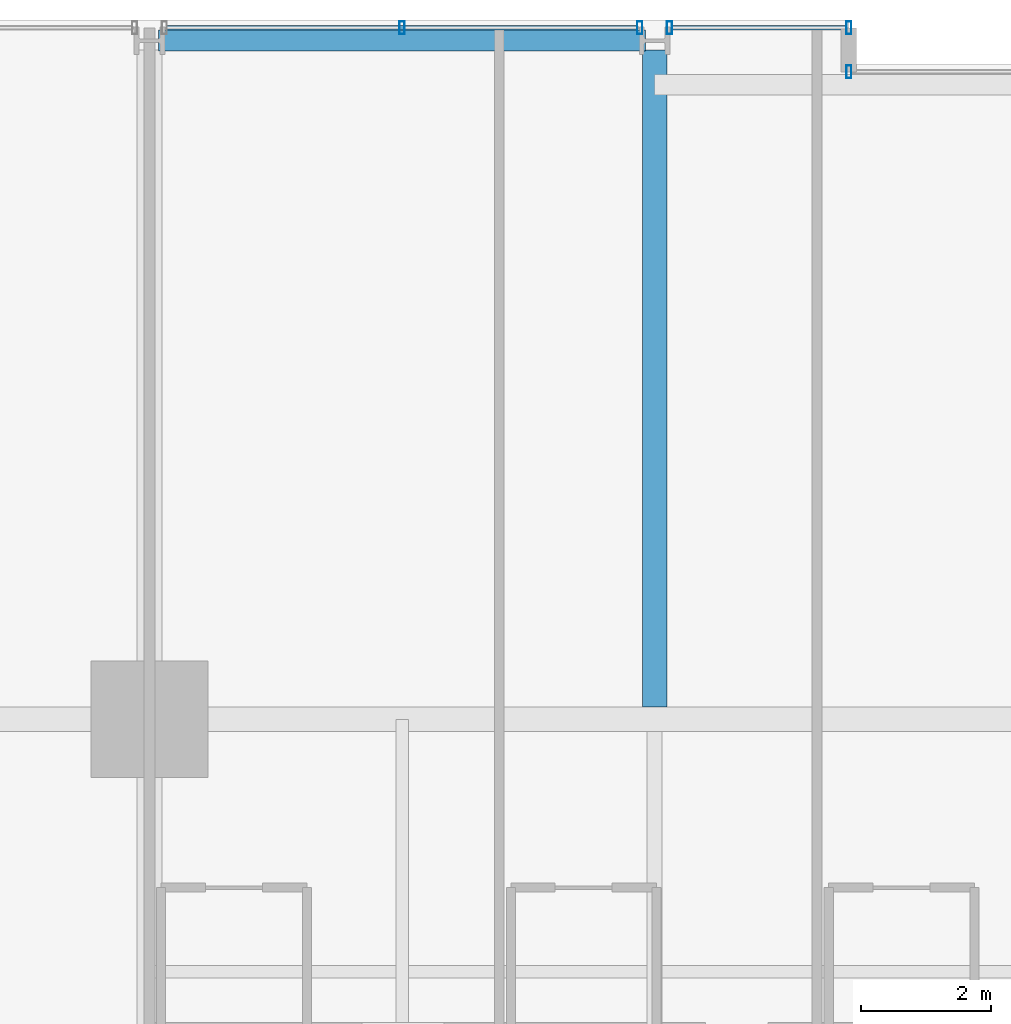
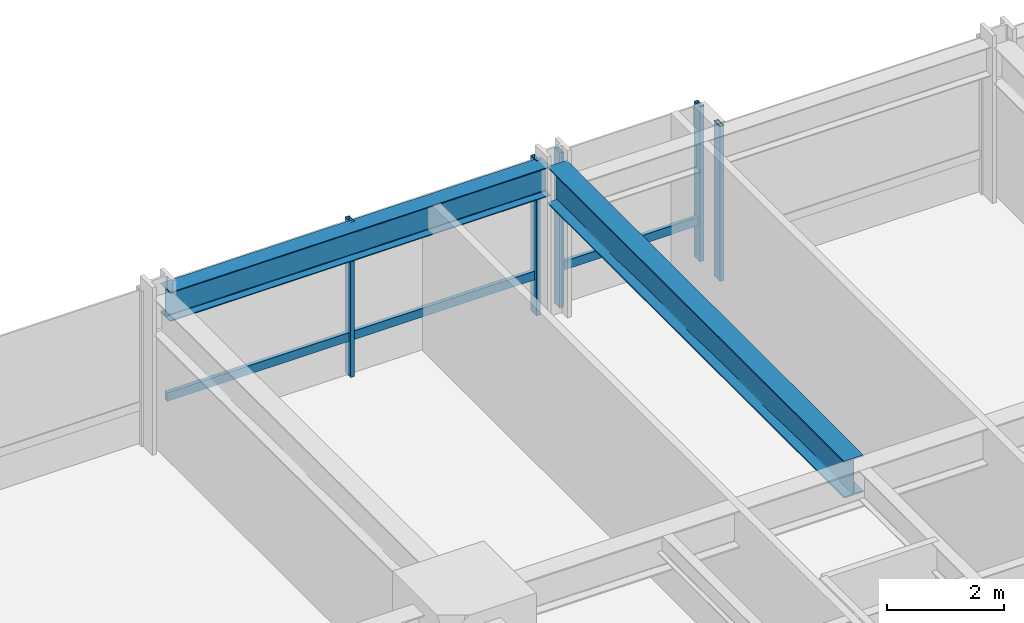
# One storey, part 22 of 38: 7 members, 2 beams, 3 elements without a shape of their own.
"""IFC4 building model written with IfcOpenShell, lengths in metres."""

from ifc_helpers import new_model, si_unit, direction, frame, origin, origin_2d, place, context, subcontext, project, spatial, hollow_rectangle, i_section, extrude, material, layer, layer_set, material_profile, profile_set, type_object, element, aggregate, save


model = new_model("IFC4")

# Units and contexts
model_context = context("Model", 3, precision=1e-05, world=origin(), true_north=direction((0.0, 1.0)))
body_context = subcontext(model_context, "Body", "Model", "MODEL_VIEW")
ifc_project = project(units=[si_unit("LENGTHUNIT", "METRE"), si_unit("AREAUNIT", "SQUARE_METRE"), si_unit("VOLUMEUNIT", "CUBIC_METRE"), si_unit("PLANEANGLEUNIT", "RADIAN"), si_unit("MASSUNIT", "GRAM", prefix="KILO")], contexts=[model_context])

# Site, building, storey
site_placement = place(None, origin())
site = spatial("IfcSite", under=ifc_project, at=site_placement, CompositionType="ELEMENT")
building_placement = place(site_placement, origin())
building = spatial("IfcBuilding", under=site, at=building_placement, Name="Drelvath Grand Hotel", CompositionType="ELEMENT")
storey_placement = place(building_placement, frame((0.0, 0.0, 71.699951171875)))
storey = spatial("IfcBuildingStorey", under=building, at=storey_placement, Name="L17", CompositionType="ELEMENT", Elevation=71.699951171875)

# Curtain wall, member
ifc_material_1 = material(Name="Warm Bronze Anodised Aluminium Frame", Category="aluminium")
ifc_layer = layer(ifc_material_1, 0.199951171875)
ifc_layer_set = layer_set([ifc_layer], Name="Warm Bronze Anodised Aluminium Frame")
curtain_wall_type = type_object("IfcCurtainWallType", Name="Stick Curtain Wall CW-02 Warm Bronze Low-Rise", PredefinedType="NOTDEFINED", material=ifc_layer_set)
curtain_wall_1_placement = place(storey_placement, origin())
curtain_wall_1 = element("IfcCurtainWall", 1, at=curtain_wall_1_placement, inside=storey, type_object=curtain_wall_type, Name="L17 CW-02 Curtain Wall CW02-L17-NW2", PredefinedType="NOTDEFINED")
ifc_material_profile_1 = material_profile(ifc_material_1, hollow_rectangle(XDim=0.074951171875, YDim=0.179931640625, WallThickness=0.0048828125, at=origin_2d()), Name="HSS180X75X5")
ifc_profile_set_1 = profile_set([ifc_material_profile_1], Name="Warm Bronze Anodised Aluminium Frame")
member_type_1 = type_object("IfcMemberType", Name="Curtain Wall Horizontal Transom CW-02 HSS180X75X5", PredefinedType="USERDEFINED", material=ifc_profile_set_1)
member_1_placement = place(storey_placement, frame((-15.930908203125, 53.8798828125, 0.81005859375), z_axis=(1.0, 0.0, 0.0), x_axis=(0.0, 1.0, 0.0)))
member_1 = element("IfcMember", 2, at=member_1_placement, type_object=member_type_1, Name="CW02-L17-NW2 Sill Transom", ObjectType="TRANSOM", PredefinedType="USERDEFINED", context=body_context, shape_type="SweptSolid", body=[
    extrude(hollow_rectangle(XDim=0.074951171875, YDim=0.179931640625, WallThickness=0.0048828125, at=origin_2d()), origin(), (0.0, 0.0, 1.0), 7.26171875),
])

curtain_wall_2_placement = place(storey_placement, origin())
curtain_wall_2 = element("IfcCurtainWall", 3, at=curtain_wall_2_placement, inside=storey, type_object=curtain_wall_type, Name="L17 CW-02 Curtain Wall CW02-L17-NW3", PredefinedType="NOTDEFINED")
member_2_placement = place(storey_placement, frame((-8.130859375, 53.8798828125, 0.81005859375), z_axis=(1.0, 0.0, 0.0), x_axis=(0.0, 1.0, 0.0)))
member_2 = element("IfcMember", 4, at=member_2_placement, type_object=member_type_1, Name="CW02-L17-NW3 Sill Transom", ObjectType="TRANSOM", PredefinedType="USERDEFINED", context=body_context, shape_type="SweptSolid", body=[
    extrude(hollow_rectangle(XDim=0.074951171875, YDim=0.179931640625, WallThickness=0.0048828125, at=origin_2d()), origin(), (0.0, 0.0, 1.0), 2.69091796875),
])

# Member
ifc_material_profile_2 = material_profile(ifc_material_1, hollow_rectangle(XDim=0.080078125, YDim=0.199951171875, WallThickness=0.0048828125, at=origin_2d()), Name="HSS200X80X5")
ifc_profile_set_2 = profile_set([ifc_material_profile_2], Name="Warm Bronze Anodised Aluminium Frame")
member_type_2 = type_object("IfcMemberType", Name="Curtain Wall Vertical Mullion CW-02 HSS200X80X5", PredefinedType="MULLION", material=ifc_profile_set_2)
member_3_placement = place(storey_placement, frame((-12.300048828125, 53.8798828125, 0.0), z_axis=(0.0, 0.0, 1.0), x_axis=(1.0, 0.0, 0.0)))
member_3 = element("IfcMember", 5, at=member_3_placement, type_object=member_type_2, Name="CW02-L17-NW2 Mullion 2", PredefinedType="MULLION", context=body_context, shape_type="SweptSolid", body=[
    extrude(hollow_rectangle(XDim=0.080078125, YDim=0.199951171875, WallThickness=0.0048828125, at=origin_2d()), origin(), (0.0, 0.0, 1.0), 3.239990234375),
])

member_4_placement = place(storey_placement, frame((-8.629150390625, 53.8798828125, 0.0), z_axis=(0.0, 0.0, 1.0), x_axis=(1.0, 0.0, 0.0)))
member_4 = element("IfcMember", 6, at=member_4_placement, type_object=member_type_2, Name="CW02-L17-NW2 Mullion 3", PredefinedType="MULLION", context=body_context, shape_type="SweptSolid", body=[
    extrude(hollow_rectangle(XDim=0.080078125, YDim=0.199951171875, WallThickness=0.0048828125, at=origin_2d()), origin(), (0.0, 0.0, 1.0), 3.239990234375),
])

aggregate(curtain_wall_1, [member_3, member_4, member_1])

member_5_placement = place(storey_placement, frame((-8.1708984375, 53.8798828125, 0.0), z_axis=(0.0, 0.0, 1.0), x_axis=(1.0, 0.0, 0.0)))
member_5 = element("IfcMember", 7, at=member_5_placement, type_object=member_type_2, Name="CW02-L17-NW3 Mullion 1", PredefinedType="MULLION", context=body_context, shape_type="SweptSolid", body=[
    extrude(hollow_rectangle(XDim=0.080078125, YDim=0.199951171875, WallThickness=0.0048828125, at=origin_2d()), origin(), (0.0, 0.0, 1.0), 3.239990234375),
])

member_6_placement = place(storey_placement, frame((-5.39990234375, 53.8798828125, 0.0), z_axis=(0.0, 0.0, 1.0), x_axis=(1.0, 0.0, 0.0)))
member_6 = element("IfcMember", 8, at=member_6_placement, type_object=member_type_2, Name="CW02-L17-NW3 Mullion 2", PredefinedType="MULLION", context=body_context, shape_type="SweptSolid", body=[
    extrude(hollow_rectangle(XDim=0.080078125, YDim=0.199951171875, WallThickness=0.0048828125, at=origin_2d()), origin(), (0.0, 0.0, 1.0), 3.239990234375),
])

aggregate(curtain_wall_2, [member_5, member_6, member_2])

# Curtain wall, member
curtain_wall_3_placement = place(storey_placement, origin())
curtain_wall_3 = element("IfcCurtainWall", 9, at=curtain_wall_3_placement, inside=storey, type_object=curtain_wall_type, Name="L17 CW-02 Curtain Wall CW02-L17-NM1", PredefinedType="NOTDEFINED")
member_7_placement = place(storey_placement, frame((-5.39990234375, 53.199951171875, 0.0), z_axis=(0.0, 0.0, 1.0), x_axis=(1.0, 0.0, 0.0)))
member_7 = element("IfcMember", 10, at=member_7_placement, type_object=member_type_2, Name="CW02-L17-NM1 Mullion 1", PredefinedType="MULLION", context=body_context, shape_type="SweptSolid", body=[
    extrude(hollow_rectangle(XDim=0.080078125, YDim=0.199951171875, WallThickness=0.0048828125, at=origin_2d()), origin(), (0.0, 0.0, 1.0), 3.239990234375),
])
aggregate(curtain_wall_3, [member_7])

# Beams
ifc_material_2 = material(Name="Steel ASTM A992 Gr 50", Category="steel")
ifc_material_profile_3 = material_profile(ifc_material_2, i_section(OverallWidth=0.323974609375, OverallDepth=0.611083984375, WebThickness=0.0126953125, FlangeThickness=0.01904296875, FilletRadius=0.02197265625, at=origin_2d()), Name="W24X104")
ifc_profile_set_3 = profile_set([ifc_material_profile_3], Name="Steel ASTM A992 Gr 50")
beam_type_1 = type_object("IfcBeamType", Name="Perimeter Spandrel Beam W24X104", PredefinedType="SPANDREL", material=ifc_profile_set_3)
beam_1_placement = place(storey_placement, frame((-16.06005859375, 53.679931640625, 2.9345703125), z_axis=(1.0, 0.0, 0.0), x_axis=(0.0, 1.0, 0.0)))
element("IfcBeam", 11, at=beam_1_placement, inside=storey, type_object=beam_type_1, Name="L17 Spandrel North W", PredefinedType="SPANDREL", context=body_context, shape_type="SweptSolid", body=[
    extrude(i_section(OverallWidth=0.323974609375, OverallDepth=0.611083984375, WebThickness=0.0126953125, FlangeThickness=0.01904296875, FilletRadius=0.02197265625, at=origin_2d()), origin(), (0.0, 0.0, 1.0), 7.52001953125),
])
ifc_material_profile_4 = material_profile(ifc_material_2, i_section(OverallWidth=0.380615234375, OverallDepth=0.773193359375, WebThickness=0.0166015625, FlangeThickness=0.027099609375, FilletRadius=0.02490234375, at=origin_2d()), Name="W30X173")
ifc_profile_set_4 = profile_set([ifc_material_profile_4], Name="Steel ASTM A992 Gr 50")
beam_type_2 = type_object("IfcBeamType", Name="Primary Floor Girder W30X173", PredefinedType="BEAM", material=ifc_profile_set_4)
beam_2_placement = place(storey_placement, frame((-8.39990234375, 43.390380859375, 2.853515625), z_axis=(0.0, 1.0, 0.0), x_axis=(-1.0, 0.0, 0.0)))
element("IfcBeam", 12, at=beam_2_placement, inside=storey, type_object=beam_type_2, Name="L17 North Wing Girder 4", PredefinedType="BEAM", context=body_context, shape_type="SweptSolid", body=[
    extrude(i_section(OverallWidth=0.380615234375, OverallDepth=0.773193359375, WebThickness=0.0166015625, FlangeThickness=0.027099609375, FilletRadius=0.02490234375, at=origin_2d()), origin(), (0.0, 0.0, 1.0), 10.149658203125),
])

save(model, "model.ifc")
